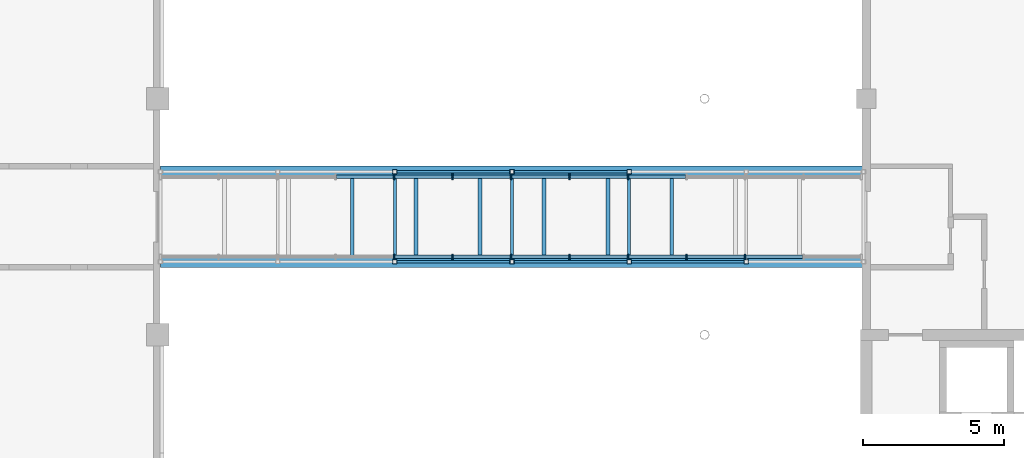
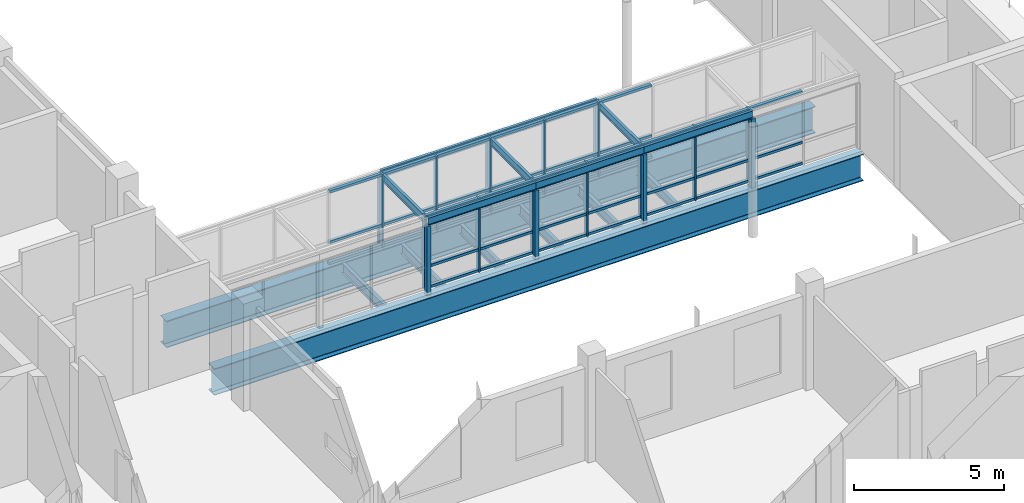
# One storey, part 12 of 70: 58 members, 16 beams, 2 elements without a shape of their own.
"""IFC4 building model written with IfcOpenShell, lengths in metres."""

import ifcopenshell
import ifcopenshell.guid

model = None  # the IFC model being written
_history = None  # IfcOwnerHistory: only IFC2X3 demands one
_inside = {}  # id of a spatial element -> (the spatial element, [elements in it])
_under = {}  # id of a project, library or spatial element -> (it, [spatial elements below it])
_declared = {}  # id of a project -> (the project, [libraries it declares])
_typed = {}  # id of a type object -> (the type object, [elements of that type])
_made_of = {}  # id of a material, layer set ... -> (it, [elements and type objects made of it])


def new_model(schema):
    """Start an empty IFC model of exactly this schema.

    Asked for "IFC4X3", IfcOpenShell would pick the latest addendum, in which some entities
    have other attributes; the version numbers below select the first issue.
    IFC2X3 requires an IfcOwnerHistory on every rooted entity: one is made here for all.
    """
    global model, _history
    if schema == "IFC4X3":
        model = ifcopenshell.file(schema_version=(4, 3, 0, 0))
    else:
        model = ifcopenshell.file(schema=schema)
    _inside.clear()
    _under.clear()
    _declared.clear()
    _typed.clear()
    _made_of.clear()
    _history = None
    if model.schema == "IFC2X3":
        org = make("IfcOrganization", Name="unknown")
        user = make(
            "IfcPersonAndOrganization",
            ThePerson=make("IfcPerson", FamilyName="unknown"),
            TheOrganization=org,
        )
        app = make(
            "IfcApplication",
            ApplicationDeveloper=org,
            Version="unknown",
            ApplicationFullName="unknown",
            ApplicationIdentifier="unknown",
        )
        _history = make(
            "IfcOwnerHistory",
            OwningUser=user,
            OwningApplication=app,
            ChangeAction="ADDED",
            CreationDate=0,
        )
    return model


def make(cls, **values):
    """One entity of the class cls with the attributes given. An attribute that is None is left unset."""
    return model.create_entity(
        cls, **{name: value for name, value in values.items() if value is not None}
    )


def rooted(cls, **values):
    """An entity with a GlobalId (a new one), such as an element, a storey or a relation."""
    return make(cls, GlobalId=ifcopenshell.guid.new(), OwnerHistory=_history, **values)


def si_unit(unit_type, name, prefix=None):
    """IfcSIUnit, for example si_unit("LENGTHUNIT", "METRE", prefix="MILLI")."""
    return make("IfcSIUnit", UnitType=unit_type, Prefix=prefix, Name=name)


def assignment(units):
    """IfcUnitAssignment: the units of a project."""
    return None if units is None else make("IfcUnitAssignment", Units=units)


def point(xyz):
    """IfcCartesianPoint."""
    return None if xyz is None else make("IfcCartesianPoint", Coordinates=xyz)


def direction(xyz):
    """IfcDirection."""
    return None if xyz is None else make("IfcDirection", DirectionRatios=xyz)


def frame(location, z_axis=None, x_axis=None):
    """IfcAxis2Placement3D, a coordinate frame: its origin and axes. An axis left out is left unset."""
    return make(
        "IfcAxis2Placement3D",
        Location=point(location),
        Axis=direction(z_axis),
        RefDirection=direction(x_axis),
    )


def frame_2d(location, x_axis=None):
    """IfcAxis2Placement2D, a coordinate frame in the plane: its origin and x axis."""
    return make(
        "IfcAxis2Placement2D", Location=point(location), RefDirection=direction(x_axis)
    )


def origin():
    """The frame at (0, 0, 0) with its axes left unset."""
    return frame((0.0, 0.0, 0.0))


def origin_2d():
    """The frame at (0, 0) in the plane with its x axis left unset."""
    return frame_2d((0.0, 0.0))


def place(relative_to, where):
    """IfcLocalPlacement: puts the frame where relative to a parent placement (None: the world)."""
    return make(
        "IfcLocalPlacement", PlacementRelTo=relative_to, RelativePlacement=where
    )


def context(
    kind, dimensions, precision=None, world=None, true_north=None, identifier=None
):
    """IfcGeometricRepresentationContext, for example the 3D "Model" context."""
    return make(
        "IfcGeometricRepresentationContext",
        ContextIdentifier=identifier,
        ContextType=kind,
        CoordinateSpaceDimension=dimensions,
        Precision=precision,
        WorldCoordinateSystem=world,
        TrueNorth=true_north,
    )


def subcontext(parent, identifier, kind, view, scale=None):
    """IfcGeometricRepresentationSubContext, for example "Body" below "Model"."""
    return make(
        "IfcGeometricRepresentationSubContext",
        ContextIdentifier=identifier,
        ContextType=kind,
        ParentContext=parent,
        TargetScale=scale,
        TargetView=view,
    )


def project(units=None, contexts=None):
    """IfcProject with its units and contexts."""
    return rooted(
        "IfcProject",
        Name="project",
        RepresentationContexts=contexts,
        UnitsInContext=assignment(units),
    )


def spatial(cls, under=None, at=None, **own):
    """A site, building, storey or space (cls), placed at a placement, below another one or the project."""
    s = rooted(cls, ObjectPlacement=at, **own)
    if under is not None:
        _under.setdefault(under.id(), (under, []))[1].append(s)
    return s


def profile(cls, at=None, kind="AREA", **sizes):
    """A parametric profile (cls). Its sizes go by their IFC names, for example OverallWidth=200.0."""
    return make(cls, ProfileType=kind, Position=at, **sizes)


def rectangle(**sizes):
    """IfcRectangleProfileDef."""
    return profile("IfcRectangleProfileDef", **sizes)


def hollow_rectangle(**sizes):
    """IfcRectangleHollowProfileDef."""
    return profile("IfcRectangleHollowProfileDef", **sizes)


def i_section(**sizes):
    """IfcIShapeProfileDef."""
    return profile("IfcIShapeProfileDef", **sizes)


def extrude(swept, where, along, depth):
    """IfcExtrudedAreaSolid: the profile swept, set in the frame where, extruded along a direction by depth."""
    return make(
        "IfcExtrudedAreaSolid",
        SweptArea=swept,
        Position=where,
        ExtrudedDirection=direction(along),
        Depth=depth,
    )


def shape(context_of_items, identifier, shape_type, items):
    """IfcShapeRepresentation: the items that make up one representation, for example the "Body"."""
    return make(
        "IfcShapeRepresentation",
        ContextOfItems=context_of_items,
        RepresentationIdentifier=identifier,
        RepresentationType=shape_type,
        Items=items,
    )


def material(Name=None, Category=None):
    """IfcMaterial."""
    return make("IfcMaterial", Name=Name, Category=Category)


def material_profile(
    of_material, cross_section, Name=None, Category=None, Priority=None
):
    """IfcMaterialProfile: a cross section and its material."""
    return make(
        "IfcMaterialProfile",
        Name=Name,
        Material=of_material,
        Profile=cross_section,
        Priority=Priority,
        Category=Category,
    )


def profile_set(profiles, Name=None, composite=None):
    """IfcMaterialProfileSet."""
    return make(
        "IfcMaterialProfileSet",
        Name=Name,
        MaterialProfiles=profiles,
        CompositeProfile=composite,
    )


def made_of(thing, what):
    """Note that an element or type object is made of a material, layer set ...; save() writes the relation."""
    if what is not None:
        _made_of.setdefault(what.id(), (what, []))[1].append(thing)
    return thing


def type_object(cls, material=None, **own):
    """A type object (cls), such as IfcWallType, which elements share."""
    return made_of(rooted(cls, **own), material)


def element(
    cls,
    number,
    at=None,
    inside=None,
    cuts=None,
    type_object=None,
    material=None,
    context=None,
    identifier="Body",
    shape_type=None,
    held_by="IfcProductDefinitionShape",
    body=None,
    shapes=None,
    **own,
):
    """One element of the class cls, such as IfcWall. Its Tag is "e" and its number.

    at: its placement. inside: the storey or other place that contains it. cuts: it is an
    opening in that element (IfcRelVoidsElement). A single representation is given by context,
    identifier, shape_type and body (its items); several are given by shapes. held_by: the class
    of the entity that holds the representations. save() writes the other relations.
    """
    e = rooted(cls, Tag="e%d" % number, ObjectPlacement=at, **own)
    if body is not None:
        shapes = [shape(context, identifier, shape_type, body)]
    if shapes is not None:
        e.Representation = make(held_by, Representations=shapes)
    if inside is not None:
        _inside.setdefault(inside.id(), (inside, []))[1].append(e)
    if cuts is not None:
        rooted(
            "IfcRelVoidsElement", RelatingBuildingElement=cuts, RelatedOpeningElement=e
        )
    if type_object is not None:
        _typed.setdefault(type_object.id(), (type_object, []))[1].append(e)
    return made_of(e, material)


def aggregate(whole, parts):
    """IfcRelAggregates: a whole, such as a stair, and the parts it consists of."""
    return rooted("IfcRelAggregates", RelatingObject=whole, RelatedObjects=parts)


def save(model, path):
    """Write the relations noted so far, then the file.

    IfcRelAggregates (storeys below a building ...), IfcRelContainedInSpatialStructure (elements
    in a storey), IfcRelDefinesByType, IfcRelAssociatesMaterial and IfcRelDeclares: one each for
    every whole, place, type object, material and project.
    """
    for whole, parts in _under.values():
        aggregate(whole, parts)
    for where, things in _inside.values():
        rooted(
            "IfcRelContainedInSpatialStructure",
            RelatedElements=things,
            RelatingStructure=where,
        )
    for kind, things in _typed.values():
        rooted("IfcRelDefinesByType", RelatedObjects=things, RelatingType=kind)
    for what, things in _made_of.values():
        rooted("IfcRelAssociatesMaterial", RelatedObjects=things, RelatingMaterial=what)
    for by, libraries in _declared.values():
        rooted("IfcRelDeclares", RelatingContext=by, RelatedDefinitions=libraries)
    model.write(path)


model = new_model("IFC4")

# Units and contexts
model_context = context("Model", 3, precision=1e-05, world=origin(), true_north=direction((0.0, 1.0)))
body_context = subcontext(model_context, "Body", "Model", "MODEL_VIEW")
ifc_project = project(units=[si_unit("LENGTHUNIT", "METRE"), si_unit("AREAUNIT", "SQUARE_METRE"), si_unit("VOLUMEUNIT", "CUBIC_METRE"), si_unit("PLANEANGLEUNIT", "RADIAN"), si_unit("MASSUNIT", "GRAM", prefix="KILO")], contexts=[model_context])

# Site, building, storey
site_placement = place(None, origin())
site = spatial("IfcSite", under=ifc_project, at=site_placement, CompositionType="ELEMENT")
building_placement = place(site_placement, origin())
building = spatial("IfcBuilding", under=site, at=building_placement, Name="Hlaing Beacon Police Headquarters", CompositionType="ELEMENT")
storey_placement = place(building_placement, frame((0.0, 0.0, 5.39990234375)))
storey = spatial("IfcBuildingStorey", under=building, at=storey_placement, Name="L01", CompositionType="ELEMENT", Elevation=5.39990234375)

# Beams
ifc_material_1 = material(Name="Steel ASTM A992 Grade 50", Category="steel")
ifc_material_profile_1 = material_profile(ifc_material_1, i_section(OverallWidth=0.1396484375, OverallDepth=0.398681640625, WebThickness=0.00634765625, FlangeThickness=0.0087890625, FilletRadius=0.01025390625, at=origin_2d()), Name="W16x26")
ifc_profile_set_1 = profile_set([ifc_material_profile_1], Name="Steel ASTM A992 Grade 50")
beam_type_1 = type_object("IfcBeamType", Name="Bridge cross beam W16x26", PredefinedType="BEAM", material=ifc_profile_set_1)
for number, where, z_axis, x_axis, name in (
    (1, (40.518310546875, 44.80078125, -0.329345703125), (0.0, 1.0, 0.0), (-1.0, 0.0, 0.0), "STR-BG-BR1-CB03"),
    (2, (42.791015625, 44.80078125, -0.329345703125), (0.0, 1.0, 0.0), (-1.0, 0.0, 0.0), "STR-BG-BR1-CB04"),
    (3, (45.063720703125, 44.80078125, -0.329345703125), (0.0, 1.0, 0.0), (-1.0, 0.0, 0.0), "STR-BG-BR1-CB05"),
    (4, (47.33642578125, 44.80078125, -0.329345703125), (0.0, 1.0, 0.0), (-1.0, 0.0, 0.0), "STR-BG-BR1-CB06"),
    (5, (49.609130859375, 44.80078125, -0.329345703125), (0.0, 1.0, 0.0), (-1.0, 0.0, 0.0), "STR-BG-BR1-CB07"),
    (6, (51.8818359375, 44.80078125, -0.329345703125), (0.0, 1.0, 0.0), (-1.0, 0.0, 0.0), "STR-BG-BR1-CB08"),
):
    element("IfcBeam", number, at=place(storey_placement, frame(where, z_axis=z_axis, x_axis=x_axis)), inside=storey, type_object=beam_type_1, Name=name, PredefinedType="BEAM", context=body_context, shape_type="SweptSolid", body=[
        extrude(i_section(OverallWidth=0.1396484375, OverallDepth=0.398681640625, WebThickness=0.00634765625, FlangeThickness=0.0087890625, FilletRadius=0.01025390625, at=origin_2d()), origin(), (0.0, 0.0, 1.0), 2.798583984375),
    ])
ifc_material_2 = material(Name="Steel ASTM A992 Grade 50", Category="steel")
ifc_material_profile_2 = material_profile(ifc_material_2, i_section(OverallWidth=0.4013671875, OverallDepth=1.089599609375, WebThickness=0.01806640625, FlangeThickness=0.031005859375, FilletRadius=0.02001953125, at=origin_2d()), Name="W44x230")
ifc_profile_set_2 = profile_set([ifc_material_profile_2], Name="Steel ASTM A992 Grade 50")
beam_type_2 = type_object("IfcBeamType", Name="Bridge girder W44x230", PredefinedType="BEAM", material=ifc_profile_set_2)
for number, where, z_axis, x_axis, name in (
    (7, (33.699951171875, 44.60009765625, -0.6748046875), (1.0, 0.0, 0.0), (0.0, 1.0, 0.0), "STR-BG-BR1-G1"),
    (8, (33.699951171875, 47.800048828125, -0.6748046875), (1.0, 0.0, 0.0), (0.0, 1.0, 0.0), "STR-BG-BR1-G2"),
):
    element("IfcBeam", number, at=place(storey_placement, frame(where, z_axis=z_axis, x_axis=x_axis)), inside=storey, type_object=beam_type_2, Name=name, PredefinedType="BEAM", context=body_context, shape_type="SweptSolid", body=[
        extrude(i_section(OverallWidth=0.4013671875, OverallDepth=1.089599609375, WebThickness=0.01806640625, FlangeThickness=0.031005859375, FilletRadius=0.02001953125, at=origin_2d()), origin(), (0.0, 0.0, 1.0), 25.0),
    ])

# Members
ifc_material_3 = material(Name="Steel ASTM A500 Grade C", Category="steel")
ifc_material_profile_3 = material_profile(ifc_material_3, hollow_rectangle(XDim=0.15234375, YDim=0.15234375, WallThickness=0.009521484375, at=origin_2d()), Name="HSS6x6x3/8")
ifc_profile_set_3 = profile_set([ifc_material_profile_3], Name="Steel ASTM A500 Grade C")
member_type_1 = type_object("IfcMemberType", Name="Bridge post HSS6x6x3/8", PredefinedType="POST", material=ifc_profile_set_3)
for number, where, z_axis, x_axis, name in (
    (9, (42.033203125, 44.60009765625, -0.1298828125), (0.0, 0.0, 1.0), (1.0, 0.0, 0.0), "STR-BG-BR1-PSA03"),
    (10, (46.199951171875, 44.60009765625, -0.1298828125), (0.0, 0.0, 1.0), (1.0, 0.0, 0.0), "STR-BG-BR1-PSA04"),
    (11, (50.36669921875, 44.60009765625, -0.1298828125), (0.0, 0.0, 1.0), (1.0, 0.0, 0.0), "STR-BG-BR1-PSA05"),
    (12, (54.533203125, 44.60009765625, -0.1298828125), (0.0, 0.0, 1.0), (1.0, 0.0, 0.0), "STR-BG-BR1-PSA06"),
    (13, (42.033203125, 47.800048828125, -0.1298828125), (0.0, 0.0, 1.0), (1.0, 0.0, 0.0), "STR-BG-BR1-PSB03"),
    (14, (46.199951171875, 47.800048828125, -0.1298828125), (0.0, 0.0, 1.0), (1.0, 0.0, 0.0), "STR-BG-BR1-PSB04"),
    (15, (50.36669921875, 47.800048828125, -0.1298828125), (0.0, 0.0, 1.0), (1.0, 0.0, 0.0), "STR-BG-BR1-PSB05"),
):
    element("IfcMember", number, at=place(storey_placement, frame(where, z_axis=z_axis, x_axis=x_axis)), inside=storey, type_object=member_type_1, Name=name, PredefinedType="POST", context=body_context, shape_type="SweptSolid", body=[
        extrude(hollow_rectangle(XDim=0.15234375, YDim=0.15234375, WallThickness=0.009521484375, at=origin_2d()), origin(), (0.0, 0.0, 1.0), 2.820068359375),
    ])

# Beams
ifc_material_4 = material(Name="Steel ASTM A992 Grade 50", Category="steel")
ifc_material_profile_4 = material_profile(ifc_material_4, i_section(OverallWidth=0.101806640625, OverallDepth=0.309814453125, WebThickness=0.005859375, FlangeThickness=0.0087890625, FilletRadius=0.007568359375, at=origin_2d()), Name="W12x19")
ifc_profile_set_4 = profile_set([ifc_material_profile_4], Name="Steel ASTM A992 Grade 50")
beam_type_3 = type_object("IfcBeamType", Name="Bridge roof beam W12x19", PredefinedType="BEAM", material=ifc_profile_set_4)
for number, where, z_axis, x_axis, name in (
    (16, (42.033203125, 44.60009765625, 2.84521484375), (1.0, 0.0, 0.0), (0.0, 1.0, 0.0), "STR-BG-BR1-RBA03"),
    (17, (46.199951171875, 44.60009765625, 2.84521484375), (1.0, 0.0, 0.0), (0.0, 1.0, 0.0), "STR-BG-BR1-RBA04"),
):
    element("IfcBeam", number, at=place(storey_placement, frame(where, z_axis=z_axis, x_axis=x_axis)), inside=storey, type_object=beam_type_3, Name=name, PredefinedType="BEAM", context=body_context, shape_type="SweptSolid", body=[
        extrude(i_section(OverallWidth=0.101806640625, OverallDepth=0.309814453125, WebThickness=0.005859375, FlangeThickness=0.0087890625, FilletRadius=0.007568359375, at=origin_2d()), origin(), (0.0, 0.0, 1.0), 4.166748046875),
    ])
beam_placement = place(storey_placement, frame((50.36669921875, 44.60009765625, 2.84521484375), z_axis=(1.0, 0.0, 0.0), x_axis=(0.0, 1.0, 0.0)))
element("IfcBeam", 18, at=beam_placement, inside=storey, type_object=beam_type_3, Name="STR-BG-BR1-RBA05", PredefinedType="BEAM", context=body_context, shape_type="SweptSolid", body=[
    extrude(i_section(OverallWidth=0.101806640625, OverallDepth=0.309814453125, WebThickness=0.005859375, FlangeThickness=0.0087890625, FilletRadius=0.007568359375, at=origin_2d()), origin(), (0.0, 0.0, 1.0), 4.16650390625),
])
for number, where, z_axis, x_axis, name in (
    (19, (42.033203125, 47.800048828125, 2.84521484375), (1.0, 0.0, 0.0), (0.0, 1.0, 0.0), "STR-BG-BR1-RBB03"),
    (20, (46.199951171875, 47.800048828125, 2.84521484375), (1.0, 0.0, 0.0), (0.0, 1.0, 0.0), "STR-BG-BR1-RBB04"),
):
    element("IfcBeam", number, at=place(storey_placement, frame(where, z_axis=z_axis, x_axis=x_axis)), inside=storey, type_object=beam_type_3, Name=name, PredefinedType="BEAM", context=body_context, shape_type="SweptSolid", body=[
        extrude(i_section(OverallWidth=0.101806640625, OverallDepth=0.309814453125, WebThickness=0.005859375, FlangeThickness=0.0087890625, FilletRadius=0.007568359375, at=origin_2d()), origin(), (0.0, 0.0, 1.0), 4.166748046875),
    ])
for number, where, z_axis, x_axis, name in (
    (21, (42.033203125, 44.65087890625, 2.84521484375), (0.0, 1.0, 0.0), (-1.0, 0.0, 0.0), "STR-BG-BR1-RC03"),
    (22, (46.199951171875, 44.65087890625, 2.84521484375), (0.0, 1.0, 0.0), (-1.0, 0.0, 0.0), "STR-BG-BR1-RC04"),
    (23, (50.36669921875, 44.65087890625, 2.84521484375), (0.0, 1.0, 0.0), (-1.0, 0.0, 0.0), "STR-BG-BR1-RC05"),
):
    element("IfcBeam", number, at=place(storey_placement, frame(where, z_axis=z_axis, x_axis=x_axis)), inside=storey, type_object=beam_type_3, Name=name, PredefinedType="BEAM", context=body_context, shape_type="SweptSolid", body=[
        extrude(i_section(OverallWidth=0.101806640625, OverallDepth=0.309814453125, WebThickness=0.005859375, FlangeThickness=0.0087890625, FilletRadius=0.007568359375, at=origin_2d()), origin(), (0.0, 0.0, 1.0), 3.09814453125),
    ])

# Curtain wall, members
ifc_material_5 = material(Name="Aluminium frame with solar control glazing", Category="aluminium")
curtain_wall_type = type_object("IfcCurtainWallType", Name="Unitised curtain wall 24.98 x 3.00", PredefinedType="NOTDEFINED", material=ifc_material_5)
curtain_wall_1_placement = place(storey_placement, origin())
curtain_wall_1 = element("IfcCurtainWall", 24, at=curtain_wall_1_placement, inside=storey, type_object=curtain_wall_type, Name="ENV-BG-BR1-A-32", PredefinedType="NOTDEFINED")
ifc_material_6 = material(Name="Aluminium", Category="aluminium")
ifc_material_profile_5 = material_profile(ifc_material_6, rectangle(XDim=0.199951171875, YDim=0.06005859375, at=origin_2d()), Name="Mullion 60x200")
ifc_profile_set_5 = profile_set([ifc_material_profile_5], Name="Aluminium")
member_type_2 = type_object("IfcMemberType", Name="Mullion 60x200", PredefinedType="MULLION", material=ifc_profile_set_5)
member_1_placement = place(storey_placement, frame((42.0, 44.776123046875, 0.0), z_axis=(0.0, 0.0, 1.0), x_axis=(0.0, 1.0, 0.0)))
member_1 = element("IfcMember", 25, at=member_1_placement, type_object=member_type_2, Name="BG-BR1-A-32 mullion 5", PredefinedType="MULLION", context=body_context, shape_type="SweptSolid", body=[
    extrude(rectangle(XDim=0.199951171875, YDim=0.06005859375, at=origin_2d()), origin(), (0.0, 0.0, 1.0), 3.0),
])
member_2_placement = place(storey_placement, frame((44.081298828125, 44.776123046875, 0.0), z_axis=(0.0, 0.0, 1.0), x_axis=(0.0, 1.0, 0.0)))
member_2 = element("IfcMember", 26, at=member_2_placement, type_object=member_type_2, Name="BG-BR1-A-32 mullion 6", PredefinedType="MULLION", context=body_context, shape_type="SweptSolid", body=[
    extrude(rectangle(XDim=0.199951171875, YDim=0.06005859375, at=origin_2d()), origin(), (0.0, 0.0, 1.0), 3.0),
])
member_3_placement = place(storey_placement, frame((46.16259765625, 44.776123046875, 0.0), z_axis=(0.0, 0.0, 1.0), x_axis=(0.0, 1.0, 0.0)))
member_3 = element("IfcMember", 27, at=member_3_placement, type_object=member_type_2, Name="BG-BR1-A-32 mullion 7", PredefinedType="MULLION", context=body_context, shape_type="SweptSolid", body=[
    extrude(rectangle(XDim=0.199951171875, YDim=0.06005859375, at=origin_2d()), origin(), (0.0, 0.0, 1.0), 3.0),
])
member_4_placement = place(storey_placement, frame((48.24365234375, 44.776123046875, 0.0), z_axis=(0.0, 0.0, 1.0), x_axis=(0.0, 1.0, 0.0)))
member_4 = element("IfcMember", 28, at=member_4_placement, type_object=member_type_2, Name="BG-BR1-A-32 mullion 8", PredefinedType="MULLION", context=body_context, shape_type="SweptSolid", body=[
    extrude(rectangle(XDim=0.199951171875, YDim=0.06005859375, at=origin_2d()), origin(), (0.0, 0.0, 1.0), 3.0),
])
member_5_placement = place(storey_placement, frame((50.324951171875, 44.776123046875, 0.0), z_axis=(0.0, 0.0, 1.0), x_axis=(0.0, 1.0, 0.0)))
member_5 = element("IfcMember", 29, at=member_5_placement, type_object=member_type_2, Name="BG-BR1-A-32 mullion 9", PredefinedType="MULLION", context=body_context, shape_type="SweptSolid", body=[
    extrude(rectangle(XDim=0.199951171875, YDim=0.06005859375, at=origin_2d()), origin(), (0.0, 0.0, 1.0), 3.0),
])
member_6_placement = place(storey_placement, frame((52.40625, 44.776123046875, 0.0), z_axis=(0.0, 0.0, 1.0), x_axis=(0.0, 1.0, 0.0)))
member_6 = element("IfcMember", 30, at=member_6_placement, type_object=member_type_2, Name="BG-BR1-A-32 mullion 10", PredefinedType="MULLION", context=body_context, shape_type="SweptSolid", body=[
    extrude(rectangle(XDim=0.199951171875, YDim=0.06005859375, at=origin_2d()), origin(), (0.0, 0.0, 1.0), 3.0),
])
member_7_placement = place(storey_placement, frame((54.487548828125, 44.776123046875, 0.0), z_axis=(0.0, 0.0, 1.0), x_axis=(0.0, 1.0, 0.0)))
member_7 = element("IfcMember", 31, at=member_7_placement, type_object=member_type_2, Name="BG-BR1-A-32 mullion 11", PredefinedType="MULLION", context=body_context, shape_type="SweptSolid", body=[
    extrude(rectangle(XDim=0.199951171875, YDim=0.06005859375, at=origin_2d()), origin(), (0.0, 0.0, 1.0), 3.0),
])

curtain_wall_2_placement = place(storey_placement, origin())
curtain_wall_2 = element("IfcCurtainWall", 32, at=curtain_wall_2_placement, inside=storey, type_object=curtain_wall_type, Name="ENV-BG-BR1-B-33", PredefinedType="NOTDEFINED")
member_8_placement = place(storey_placement, frame((42.0, 47.623779296875, 0.0), z_axis=(0.0, 0.0, 1.0), x_axis=(0.0, 1.0, 0.0)))
member_8 = element("IfcMember", 33, at=member_8_placement, type_object=member_type_2, Name="BG-BR1-B-33 mullion 5", PredefinedType="MULLION", context=body_context, shape_type="SweptSolid", body=[
    extrude(rectangle(XDim=0.199951171875, YDim=0.06005859375, at=origin_2d()), origin(), (0.0, 0.0, 1.0), 3.0),
])
member_9_placement = place(storey_placement, frame((44.081298828125, 47.623779296875, 0.0), z_axis=(0.0, 0.0, 1.0), x_axis=(0.0, 1.0, 0.0)))
member_9 = element("IfcMember", 34, at=member_9_placement, type_object=member_type_2, Name="BG-BR1-B-33 mullion 6", PredefinedType="MULLION", context=body_context, shape_type="SweptSolid", body=[
    extrude(rectangle(XDim=0.199951171875, YDim=0.06005859375, at=origin_2d()), origin(), (0.0, 0.0, 1.0), 3.0),
])
member_10_placement = place(storey_placement, frame((46.16259765625, 47.623779296875, 0.0), z_axis=(0.0, 0.0, 1.0), x_axis=(0.0, 1.0, 0.0)))
member_10 = element("IfcMember", 35, at=member_10_placement, type_object=member_type_2, Name="BG-BR1-B-33 mullion 7", PredefinedType="MULLION", context=body_context, shape_type="SweptSolid", body=[
    extrude(rectangle(XDim=0.199951171875, YDim=0.06005859375, at=origin_2d()), origin(), (0.0, 0.0, 1.0), 3.0),
])
member_11_placement = place(storey_placement, frame((48.24365234375, 47.623779296875, 0.0), z_axis=(0.0, 0.0, 1.0), x_axis=(0.0, 1.0, 0.0)))
member_11 = element("IfcMember", 36, at=member_11_placement, type_object=member_type_2, Name="BG-BR1-B-33 mullion 8", PredefinedType="MULLION", context=body_context, shape_type="SweptSolid", body=[
    extrude(rectangle(XDim=0.199951171875, YDim=0.06005859375, at=origin_2d()), origin(), (0.0, 0.0, 1.0), 3.0),
])
member_12_placement = place(storey_placement, frame((50.324951171875, 47.623779296875, 0.0), z_axis=(0.0, 0.0, 1.0), x_axis=(0.0, 1.0, 0.0)))
member_12 = element("IfcMember", 37, at=member_12_placement, type_object=member_type_2, Name="BG-BR1-B-33 mullion 9", PredefinedType="MULLION", context=body_context, shape_type="SweptSolid", body=[
    extrude(rectangle(XDim=0.199951171875, YDim=0.06005859375, at=origin_2d()), origin(), (0.0, 0.0, 1.0), 3.0),
])

# Member
ifc_material_7 = material(Name="Aluminium", Category="aluminium")
ifc_material_profile_6 = material_profile(ifc_material_7, rectangle(XDim=0.1201171875, YDim=0.10009765625, at=origin_2d()), Name="Transom 120x100")
ifc_profile_set_6 = profile_set([ifc_material_profile_6], Name="Aluminium")
member_type_3 = type_object("IfcMemberType", Name="Transom 120x100", PredefinedType="USERDEFINED", material=ifc_profile_set_6)
member_13_placement = place(storey_placement, frame((42.030029296875, 44.776123046875, 0.050048828125), z_axis=(1.0, 0.0, 0.0), x_axis=(0.0, 1.0, 0.0)))
member_13 = element("IfcMember", 38, at=member_13_placement, type_object=member_type_3, Name="BG-BR1-A-32 transom 5.1", ObjectType="TRANSOM", PredefinedType="USERDEFINED", context=body_context, shape_type="SweptSolid", body=[
    extrude(rectangle(XDim=0.1201171875, YDim=0.10009765625, at=origin_2d()), origin(), (0.0, 0.0, 1.0), 2.021240234375),
])

member_14_placement = place(storey_placement, frame((42.030029296875, 44.776123046875, 0.900146484375), z_axis=(1.0, 0.0, 0.0), x_axis=(0.0, 1.0, 0.0)))
member_14 = element("IfcMember", 39, at=member_14_placement, type_object=member_type_3, Name="BG-BR1-A-32 transom 5.2", ObjectType="TRANSOM", PredefinedType="USERDEFINED", context=body_context, shape_type="SweptSolid", body=[
    extrude(rectangle(XDim=0.1201171875, YDim=0.10009765625, at=origin_2d()), origin(), (0.0, 0.0, 1.0), 2.021240234375),
])

member_15_placement = place(storey_placement, frame((42.030029296875, 44.776123046875, 2.9501953125), z_axis=(1.0, 0.0, 0.0), x_axis=(0.0, 1.0, 0.0)))
member_15 = element("IfcMember", 40, at=member_15_placement, type_object=member_type_3, Name="BG-BR1-A-32 transom 5.3", ObjectType="TRANSOM", PredefinedType="USERDEFINED", context=body_context, shape_type="SweptSolid", body=[
    extrude(rectangle(XDim=0.1201171875, YDim=0.10009765625, at=origin_2d()), origin(), (0.0, 0.0, 1.0), 2.021240234375),
])

member_16_placement = place(storey_placement, frame((44.111328125, 44.776123046875, 0.050048828125), z_axis=(1.0, 0.0, 0.0), x_axis=(0.0, 1.0, 0.0)))
member_16 = element("IfcMember", 41, at=member_16_placement, type_object=member_type_3, Name="BG-BR1-A-32 transom 6.1", ObjectType="TRANSOM", PredefinedType="USERDEFINED", context=body_context, shape_type="SweptSolid", body=[
    extrude(rectangle(XDim=0.1201171875, YDim=0.10009765625, at=origin_2d()), origin(), (0.0, 0.0, 1.0), 2.021240234375),
])

member_17_placement = place(storey_placement, frame((44.111328125, 44.776123046875, 0.900146484375), z_axis=(1.0, 0.0, 0.0), x_axis=(0.0, 1.0, 0.0)))
member_17 = element("IfcMember", 42, at=member_17_placement, type_object=member_type_3, Name="BG-BR1-A-32 transom 6.2", ObjectType="TRANSOM", PredefinedType="USERDEFINED", context=body_context, shape_type="SweptSolid", body=[
    extrude(rectangle(XDim=0.1201171875, YDim=0.10009765625, at=origin_2d()), origin(), (0.0, 0.0, 1.0), 2.021240234375),
])

member_18_placement = place(storey_placement, frame((44.111328125, 44.776123046875, 2.9501953125), z_axis=(1.0, 0.0, 0.0), x_axis=(0.0, 1.0, 0.0)))
member_18 = element("IfcMember", 43, at=member_18_placement, type_object=member_type_3, Name="BG-BR1-A-32 transom 6.3", ObjectType="TRANSOM", PredefinedType="USERDEFINED", context=body_context, shape_type="SweptSolid", body=[
    extrude(rectangle(XDim=0.1201171875, YDim=0.10009765625, at=origin_2d()), origin(), (0.0, 0.0, 1.0), 2.021240234375),
])

member_19_placement = place(storey_placement, frame((46.1923828125, 44.776123046875, 0.050048828125), z_axis=(1.0, 0.0, 0.0), x_axis=(0.0, 1.0, 0.0)))
member_19 = element("IfcMember", 44, at=member_19_placement, type_object=member_type_3, Name="BG-BR1-A-32 transom 7.1", ObjectType="TRANSOM", PredefinedType="USERDEFINED", context=body_context, shape_type="SweptSolid", body=[
    extrude(rectangle(XDim=0.1201171875, YDim=0.10009765625, at=origin_2d()), origin(), (0.0, 0.0, 1.0), 2.021484375),
])

member_20_placement = place(storey_placement, frame((46.1923828125, 44.776123046875, 0.900146484375), z_axis=(1.0, 0.0, 0.0), x_axis=(0.0, 1.0, 0.0)))
member_20 = element("IfcMember", 45, at=member_20_placement, type_object=member_type_3, Name="BG-BR1-A-32 transom 7.2", ObjectType="TRANSOM", PredefinedType="USERDEFINED", context=body_context, shape_type="SweptSolid", body=[
    extrude(rectangle(XDim=0.1201171875, YDim=0.10009765625, at=origin_2d()), origin(), (0.0, 0.0, 1.0), 2.021484375),
])

member_21_placement = place(storey_placement, frame((46.1923828125, 44.776123046875, 2.9501953125), z_axis=(1.0, 0.0, 0.0), x_axis=(0.0, 1.0, 0.0)))
member_21 = element("IfcMember", 46, at=member_21_placement, type_object=member_type_3, Name="BG-BR1-A-32 transom 7.3", ObjectType="TRANSOM", PredefinedType="USERDEFINED", context=body_context, shape_type="SweptSolid", body=[
    extrude(rectangle(XDim=0.1201171875, YDim=0.10009765625, at=origin_2d()), origin(), (0.0, 0.0, 1.0), 2.021484375),
])

member_22_placement = place(storey_placement, frame((48.273681640625, 44.776123046875, 0.050048828125), z_axis=(1.0, 0.0, 0.0), x_axis=(0.0, 1.0, 0.0)))
member_22 = element("IfcMember", 47, at=member_22_placement, type_object=member_type_3, Name="BG-BR1-A-32 transom 8.1", ObjectType="TRANSOM", PredefinedType="USERDEFINED", context=body_context, shape_type="SweptSolid", body=[
    extrude(rectangle(XDim=0.1201171875, YDim=0.10009765625, at=origin_2d()), origin(), (0.0, 0.0, 1.0), 2.021240234375),
])

member_23_placement = place(storey_placement, frame((48.273681640625, 44.776123046875, 0.900146484375), z_axis=(1.0, 0.0, 0.0), x_axis=(0.0, 1.0, 0.0)))
member_23 = element("IfcMember", 48, at=member_23_placement, type_object=member_type_3, Name="BG-BR1-A-32 transom 8.2", ObjectType="TRANSOM", PredefinedType="USERDEFINED", context=body_context, shape_type="SweptSolid", body=[
    extrude(rectangle(XDim=0.1201171875, YDim=0.10009765625, at=origin_2d()), origin(), (0.0, 0.0, 1.0), 2.021240234375),
])

member_24_placement = place(storey_placement, frame((48.273681640625, 44.776123046875, 2.9501953125), z_axis=(1.0, 0.0, 0.0), x_axis=(0.0, 1.0, 0.0)))
member_24 = element("IfcMember", 49, at=member_24_placement, type_object=member_type_3, Name="BG-BR1-A-32 transom 8.3", ObjectType="TRANSOM", PredefinedType="USERDEFINED", context=body_context, shape_type="SweptSolid", body=[
    extrude(rectangle(XDim=0.1201171875, YDim=0.10009765625, at=origin_2d()), origin(), (0.0, 0.0, 1.0), 2.021240234375),
])

member_25_placement = place(storey_placement, frame((50.35498046875, 44.776123046875, 0.050048828125), z_axis=(1.0, 0.0, 0.0), x_axis=(0.0, 1.0, 0.0)))
member_25 = element("IfcMember", 50, at=member_25_placement, type_object=member_type_3, Name="BG-BR1-A-32 transom 9.1", ObjectType="TRANSOM", PredefinedType="USERDEFINED", context=body_context, shape_type="SweptSolid", body=[
    extrude(rectangle(XDim=0.1201171875, YDim=0.10009765625, at=origin_2d()), origin(), (0.0, 0.0, 1.0), 2.021240234375),
])

member_26_placement = place(storey_placement, frame((50.35498046875, 44.776123046875, 0.900146484375), z_axis=(1.0, 0.0, 0.0), x_axis=(0.0, 1.0, 0.0)))
member_26 = element("IfcMember", 51, at=member_26_placement, type_object=member_type_3, Name="BG-BR1-A-32 transom 9.2", ObjectType="TRANSOM", PredefinedType="USERDEFINED", context=body_context, shape_type="SweptSolid", body=[
    extrude(rectangle(XDim=0.1201171875, YDim=0.10009765625, at=origin_2d()), origin(), (0.0, 0.0, 1.0), 2.021240234375),
])

member_27_placement = place(storey_placement, frame((50.35498046875, 44.776123046875, 2.9501953125), z_axis=(1.0, 0.0, 0.0), x_axis=(0.0, 1.0, 0.0)))
member_27 = element("IfcMember", 52, at=member_27_placement, type_object=member_type_3, Name="BG-BR1-A-32 transom 9.3", ObjectType="TRANSOM", PredefinedType="USERDEFINED", context=body_context, shape_type="SweptSolid", body=[
    extrude(rectangle(XDim=0.1201171875, YDim=0.10009765625, at=origin_2d()), origin(), (0.0, 0.0, 1.0), 2.021240234375),
])

member_28_placement = place(storey_placement, frame((52.436279296875, 44.776123046875, 0.050048828125), z_axis=(1.0, 0.0, 0.0), x_axis=(0.0, 1.0, 0.0)))
member_28 = element("IfcMember", 53, at=member_28_placement, type_object=member_type_3, Name="BG-BR1-A-32 transom 10.1", ObjectType="TRANSOM", PredefinedType="USERDEFINED", context=body_context, shape_type="SweptSolid", body=[
    extrude(rectangle(XDim=0.1201171875, YDim=0.10009765625, at=origin_2d()), origin(), (0.0, 0.0, 1.0), 2.021240234375),
])

member_29_placement = place(storey_placement, frame((52.436279296875, 44.776123046875, 0.900146484375), z_axis=(1.0, 0.0, 0.0), x_axis=(0.0, 1.0, 0.0)))
member_29 = element("IfcMember", 54, at=member_29_placement, type_object=member_type_3, Name="BG-BR1-A-32 transom 10.2", ObjectType="TRANSOM", PredefinedType="USERDEFINED", context=body_context, shape_type="SweptSolid", body=[
    extrude(rectangle(XDim=0.1201171875, YDim=0.10009765625, at=origin_2d()), origin(), (0.0, 0.0, 1.0), 2.021240234375),
])

member_30_placement = place(storey_placement, frame((52.436279296875, 44.776123046875, 2.9501953125), z_axis=(1.0, 0.0, 0.0), x_axis=(0.0, 1.0, 0.0)))
member_30 = element("IfcMember", 55, at=member_30_placement, type_object=member_type_3, Name="BG-BR1-A-32 transom 10.3", ObjectType="TRANSOM", PredefinedType="USERDEFINED", context=body_context, shape_type="SweptSolid", body=[
    extrude(rectangle(XDim=0.1201171875, YDim=0.10009765625, at=origin_2d()), origin(), (0.0, 0.0, 1.0), 2.021240234375),
])

member_31_placement = place(storey_placement, frame((54.517578125, 44.776123046875, 0.050048828125), z_axis=(1.0, 0.0, 0.0), x_axis=(0.0, 1.0, 0.0)))
member_31 = element("IfcMember", 56, at=member_31_placement, type_object=member_type_3, Name="BG-BR1-A-32 transom 11.1", ObjectType="TRANSOM", PredefinedType="USERDEFINED", context=body_context, shape_type="SweptSolid", body=[
    extrude(rectangle(XDim=0.1201171875, YDim=0.10009765625, at=origin_2d()), origin(), (0.0, 0.0, 1.0), 2.021240234375),
])

member_32_placement = place(storey_placement, frame((54.517578125, 44.776123046875, 0.900146484375), z_axis=(1.0, 0.0, 0.0), x_axis=(0.0, 1.0, 0.0)))
member_32 = element("IfcMember", 57, at=member_32_placement, type_object=member_type_3, Name="BG-BR1-A-32 transom 11.2", ObjectType="TRANSOM", PredefinedType="USERDEFINED", context=body_context, shape_type="SweptSolid", body=[
    extrude(rectangle(XDim=0.1201171875, YDim=0.10009765625, at=origin_2d()), origin(), (0.0, 0.0, 1.0), 2.021240234375),
])

member_33_placement = place(storey_placement, frame((54.517578125, 44.776123046875, 2.9501953125), z_axis=(1.0, 0.0, 0.0), x_axis=(0.0, 1.0, 0.0)))
member_33 = element("IfcMember", 58, at=member_33_placement, type_object=member_type_3, Name="BG-BR1-A-32 transom 11.3", ObjectType="TRANSOM", PredefinedType="USERDEFINED", context=body_context, shape_type="SweptSolid", body=[
    extrude(rectangle(XDim=0.1201171875, YDim=0.10009765625, at=origin_2d()), origin(), (0.0, 0.0, 1.0), 2.021240234375),
])

aggregate(curtain_wall_1, [member_1, member_2, member_3, member_4, member_5, member_6, member_7, member_13, member_14, member_15, member_16, member_17, member_18, member_19, member_20, member_21, member_22, member_23, member_24, member_25, member_26, member_27, member_28, member_29, member_30, member_31, member_32, member_33])

member_34_placement = place(storey_placement, frame((39.94873046875, 47.623779296875, 0.050048828125), z_axis=(1.0, 0.0, 0.0), x_axis=(0.0, 1.0, 0.0)))
member_34 = element("IfcMember", 59, at=member_34_placement, type_object=member_type_3, Name="BG-BR1-B-33 transom 4.1", ObjectType="TRANSOM", PredefinedType="USERDEFINED", context=body_context, shape_type="SweptSolid", body=[
    extrude(rectangle(XDim=0.1201171875, YDim=0.10009765625, at=origin_2d()), origin(), (0.0, 0.0, 1.0), 2.021240234375),
])

member_35_placement = place(storey_placement, frame((39.94873046875, 47.623779296875, 0.900146484375), z_axis=(1.0, 0.0, 0.0), x_axis=(0.0, 1.0, 0.0)))
member_35 = element("IfcMember", 60, at=member_35_placement, type_object=member_type_3, Name="BG-BR1-B-33 transom 4.2", ObjectType="TRANSOM", PredefinedType="USERDEFINED", context=body_context, shape_type="SweptSolid", body=[
    extrude(rectangle(XDim=0.1201171875, YDim=0.10009765625, at=origin_2d()), origin(), (0.0, 0.0, 1.0), 2.021240234375),
])

member_36_placement = place(storey_placement, frame((39.94873046875, 47.623779296875, 2.9501953125), z_axis=(1.0, 0.0, 0.0), x_axis=(0.0, 1.0, 0.0)))
member_36 = element("IfcMember", 61, at=member_36_placement, type_object=member_type_3, Name="BG-BR1-B-33 transom 4.3", ObjectType="TRANSOM", PredefinedType="USERDEFINED", context=body_context, shape_type="SweptSolid", body=[
    extrude(rectangle(XDim=0.1201171875, YDim=0.10009765625, at=origin_2d()), origin(), (0.0, 0.0, 1.0), 2.021240234375),
])

member_37_placement = place(storey_placement, frame((42.030029296875, 47.623779296875, 0.050048828125), z_axis=(1.0, 0.0, 0.0), x_axis=(0.0, 1.0, 0.0)))
member_37 = element("IfcMember", 62, at=member_37_placement, type_object=member_type_3, Name="BG-BR1-B-33 transom 5.1", ObjectType="TRANSOM", PredefinedType="USERDEFINED", context=body_context, shape_type="SweptSolid", body=[
    extrude(rectangle(XDim=0.1201171875, YDim=0.10009765625, at=origin_2d()), origin(), (0.0, 0.0, 1.0), 2.021240234375),
])

member_38_placement = place(storey_placement, frame((42.030029296875, 47.623779296875, 0.900146484375), z_axis=(1.0, 0.0, 0.0), x_axis=(0.0, 1.0, 0.0)))
member_38 = element("IfcMember", 63, at=member_38_placement, type_object=member_type_3, Name="BG-BR1-B-33 transom 5.2", ObjectType="TRANSOM", PredefinedType="USERDEFINED", context=body_context, shape_type="SweptSolid", body=[
    extrude(rectangle(XDim=0.1201171875, YDim=0.10009765625, at=origin_2d()), origin(), (0.0, 0.0, 1.0), 2.021240234375),
])

member_39_placement = place(storey_placement, frame((42.030029296875, 47.623779296875, 2.9501953125), z_axis=(1.0, 0.0, 0.0), x_axis=(0.0, 1.0, 0.0)))
member_39 = element("IfcMember", 64, at=member_39_placement, type_object=member_type_3, Name="BG-BR1-B-33 transom 5.3", ObjectType="TRANSOM", PredefinedType="USERDEFINED", context=body_context, shape_type="SweptSolid", body=[
    extrude(rectangle(XDim=0.1201171875, YDim=0.10009765625, at=origin_2d()), origin(), (0.0, 0.0, 1.0), 2.021240234375),
])

member_40_placement = place(storey_placement, frame((44.111328125, 47.623779296875, 0.050048828125), z_axis=(1.0, 0.0, 0.0), x_axis=(0.0, 1.0, 0.0)))
member_40 = element("IfcMember", 65, at=member_40_placement, type_object=member_type_3, Name="BG-BR1-B-33 transom 6.1", ObjectType="TRANSOM", PredefinedType="USERDEFINED", context=body_context, shape_type="SweptSolid", body=[
    extrude(rectangle(XDim=0.1201171875, YDim=0.10009765625, at=origin_2d()), origin(), (0.0, 0.0, 1.0), 2.021240234375),
])

member_41_placement = place(storey_placement, frame((44.111328125, 47.623779296875, 0.900146484375), z_axis=(1.0, 0.0, 0.0), x_axis=(0.0, 1.0, 0.0)))
member_41 = element("IfcMember", 66, at=member_41_placement, type_object=member_type_3, Name="BG-BR1-B-33 transom 6.2", ObjectType="TRANSOM", PredefinedType="USERDEFINED", context=body_context, shape_type="SweptSolid", body=[
    extrude(rectangle(XDim=0.1201171875, YDim=0.10009765625, at=origin_2d()), origin(), (0.0, 0.0, 1.0), 2.021240234375),
])

member_42_placement = place(storey_placement, frame((44.111328125, 47.623779296875, 2.9501953125), z_axis=(1.0, 0.0, 0.0), x_axis=(0.0, 1.0, 0.0)))
member_42 = element("IfcMember", 67, at=member_42_placement, type_object=member_type_3, Name="BG-BR1-B-33 transom 6.3", ObjectType="TRANSOM", PredefinedType="USERDEFINED", context=body_context, shape_type="SweptSolid", body=[
    extrude(rectangle(XDim=0.1201171875, YDim=0.10009765625, at=origin_2d()), origin(), (0.0, 0.0, 1.0), 2.021240234375),
])

member_43_placement = place(storey_placement, frame((46.1923828125, 47.623779296875, 0.050048828125), z_axis=(1.0, 0.0, 0.0), x_axis=(0.0, 1.0, 0.0)))
member_43 = element("IfcMember", 68, at=member_43_placement, type_object=member_type_3, Name="BG-BR1-B-33 transom 7.1", ObjectType="TRANSOM", PredefinedType="USERDEFINED", context=body_context, shape_type="SweptSolid", body=[
    extrude(rectangle(XDim=0.1201171875, YDim=0.10009765625, at=origin_2d()), origin(), (0.0, 0.0, 1.0), 2.021484375),
])

member_44_placement = place(storey_placement, frame((46.1923828125, 47.623779296875, 0.900146484375), z_axis=(1.0, 0.0, 0.0), x_axis=(0.0, 1.0, 0.0)))
member_44 = element("IfcMember", 69, at=member_44_placement, type_object=member_type_3, Name="BG-BR1-B-33 transom 7.2", ObjectType="TRANSOM", PredefinedType="USERDEFINED", context=body_context, shape_type="SweptSolid", body=[
    extrude(rectangle(XDim=0.1201171875, YDim=0.10009765625, at=origin_2d()), origin(), (0.0, 0.0, 1.0), 2.021484375),
])

member_45_placement = place(storey_placement, frame((46.1923828125, 47.623779296875, 2.9501953125), z_axis=(1.0, 0.0, 0.0), x_axis=(0.0, 1.0, 0.0)))
member_45 = element("IfcMember", 70, at=member_45_placement, type_object=member_type_3, Name="BG-BR1-B-33 transom 7.3", ObjectType="TRANSOM", PredefinedType="USERDEFINED", context=body_context, shape_type="SweptSolid", body=[
    extrude(rectangle(XDim=0.1201171875, YDim=0.10009765625, at=origin_2d()), origin(), (0.0, 0.0, 1.0), 2.021484375),
])

member_46_placement = place(storey_placement, frame((48.273681640625, 47.623779296875, 0.050048828125), z_axis=(1.0, 0.0, 0.0), x_axis=(0.0, 1.0, 0.0)))
member_46 = element("IfcMember", 71, at=member_46_placement, type_object=member_type_3, Name="BG-BR1-B-33 transom 8.1", ObjectType="TRANSOM", PredefinedType="USERDEFINED", context=body_context, shape_type="SweptSolid", body=[
    extrude(rectangle(XDim=0.1201171875, YDim=0.10009765625, at=origin_2d()), origin(), (0.0, 0.0, 1.0), 2.021240234375),
])

member_47_placement = place(storey_placement, frame((48.273681640625, 47.623779296875, 0.900146484375), z_axis=(1.0, 0.0, 0.0), x_axis=(0.0, 1.0, 0.0)))
member_47 = element("IfcMember", 72, at=member_47_placement, type_object=member_type_3, Name="BG-BR1-B-33 transom 8.2", ObjectType="TRANSOM", PredefinedType="USERDEFINED", context=body_context, shape_type="SweptSolid", body=[
    extrude(rectangle(XDim=0.1201171875, YDim=0.10009765625, at=origin_2d()), origin(), (0.0, 0.0, 1.0), 2.021240234375),
])

member_48_placement = place(storey_placement, frame((48.273681640625, 47.623779296875, 2.9501953125), z_axis=(1.0, 0.0, 0.0), x_axis=(0.0, 1.0, 0.0)))
member_48 = element("IfcMember", 73, at=member_48_placement, type_object=member_type_3, Name="BG-BR1-B-33 transom 8.3", ObjectType="TRANSOM", PredefinedType="USERDEFINED", context=body_context, shape_type="SweptSolid", body=[
    extrude(rectangle(XDim=0.1201171875, YDim=0.10009765625, at=origin_2d()), origin(), (0.0, 0.0, 1.0), 2.021240234375),
])

member_49_placement = place(storey_placement, frame((50.35498046875, 47.623779296875, 0.050048828125), z_axis=(1.0, 0.0, 0.0), x_axis=(0.0, 1.0, 0.0)))
member_49 = element("IfcMember", 74, at=member_49_placement, type_object=member_type_3, Name="BG-BR1-B-33 transom 9.1", ObjectType="TRANSOM", PredefinedType="USERDEFINED", context=body_context, shape_type="SweptSolid", body=[
    extrude(rectangle(XDim=0.1201171875, YDim=0.10009765625, at=origin_2d()), origin(), (0.0, 0.0, 1.0), 2.021240234375),
])

member_50_placement = place(storey_placement, frame((50.35498046875, 47.623779296875, 0.900146484375), z_axis=(1.0, 0.0, 0.0), x_axis=(0.0, 1.0, 0.0)))
member_50 = element("IfcMember", 75, at=member_50_placement, type_object=member_type_3, Name="BG-BR1-B-33 transom 9.2", ObjectType="TRANSOM", PredefinedType="USERDEFINED", context=body_context, shape_type="SweptSolid", body=[
    extrude(rectangle(XDim=0.1201171875, YDim=0.10009765625, at=origin_2d()), origin(), (0.0, 0.0, 1.0), 2.021240234375),
])

member_51_placement = place(storey_placement, frame((50.35498046875, 47.623779296875, 2.9501953125), z_axis=(1.0, 0.0, 0.0), x_axis=(0.0, 1.0, 0.0)))
member_51 = element("IfcMember", 76, at=member_51_placement, type_object=member_type_3, Name="BG-BR1-B-33 transom 9.3", ObjectType="TRANSOM", PredefinedType="USERDEFINED", context=body_context, shape_type="SweptSolid", body=[
    extrude(rectangle(XDim=0.1201171875, YDim=0.10009765625, at=origin_2d()), origin(), (0.0, 0.0, 1.0), 2.021240234375),
])

aggregate(curtain_wall_2, [member_8, member_9, member_10, member_11, member_12, member_34, member_35, member_36, member_37, member_38, member_39, member_40, member_41, member_42, member_43, member_44, member_45, member_46, member_47, member_48, member_49, member_50, member_51])

save(model, "model.ifc")
